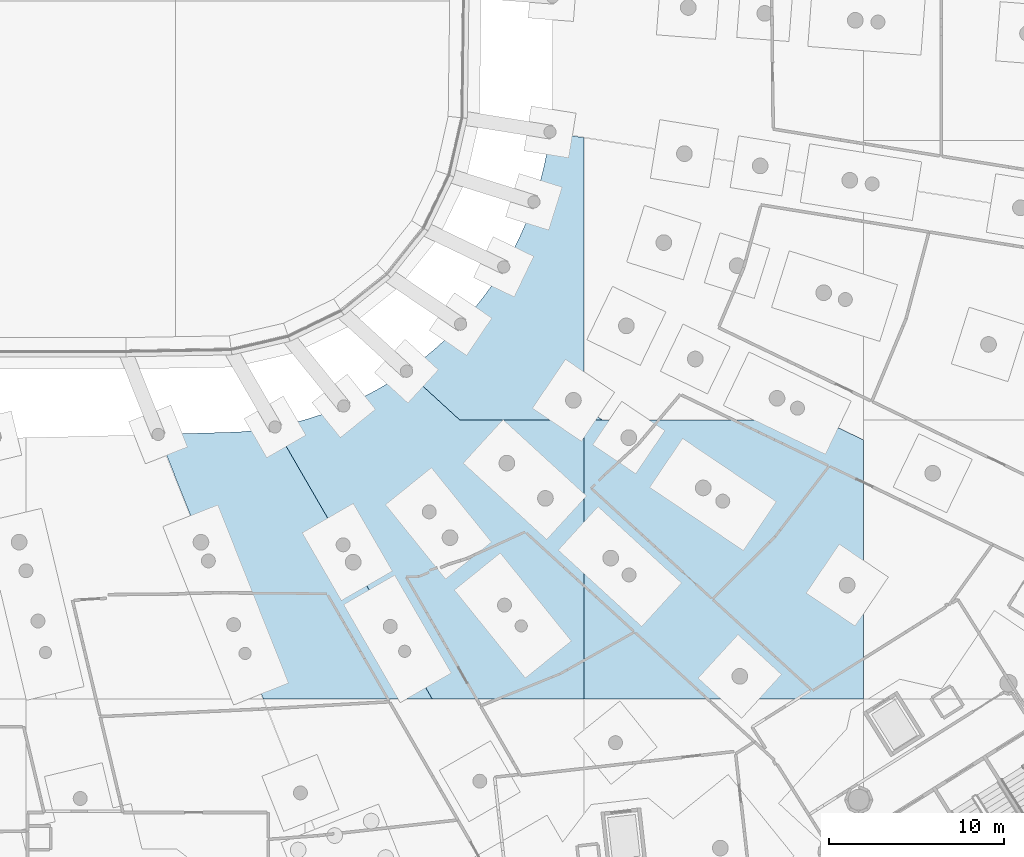
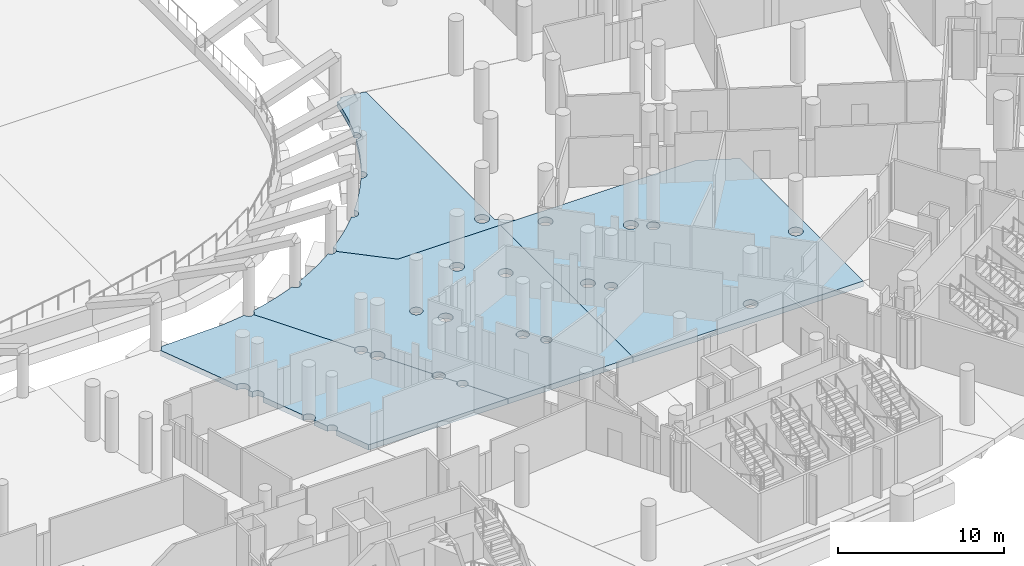
# One storey, part 21 of 142: 4 slabs.
"""IFC4 building model written with IfcOpenShell, lengths in metres."""

from ifc_helpers import new_model, si_unit, direction, frame, origin, place, context, subcontext, project, spatial, polyline, outline, extrude, material, layer, layer_set, type_object, element, save


model = new_model("IFC4")

# Units and contexts
model_context = context("Model", 3, precision=1e-05, world=origin(), true_north=direction((0.0, 1.0)))
body_context = subcontext(model_context, "Body", "Model", "MODEL_VIEW")
ifc_project = project(units=[si_unit("LENGTHUNIT", "METRE"), si_unit("AREAUNIT", "SQUARE_METRE"), si_unit("VOLUMEUNIT", "CUBIC_METRE"), si_unit("PLANEANGLEUNIT", "RADIAN"), si_unit("MASSUNIT", "GRAM", prefix="KILO")], contexts=[model_context])

# Site, building, storey
site_placement = place(None, origin())
site = spatial("IfcSite", under=ifc_project, at=site_placement, CompositionType="ELEMENT")
building_placement = place(site_placement, origin())
building = spatial("IfcBuilding", under=site, at=building_placement, Name="Meseta Stadium", CompositionType="ELEMENT")
storey_placement = place(building_placement, frame((0.0, 0.0, -4.0)))
storey = spatial("IfcBuildingStorey", under=building, at=storey_placement, Name="B1", CompositionType="ELEMENT", Elevation=-4.0)

# Slabs
ifc_material = material(Name="Concrete C30/37", Category="concrete")
ifc_layer = layer(ifc_material, 0.39990234375)
ifc_layer_set = layer_set([ifc_layer], Name="Base slab 400")
slab_type = type_object("IfcSlabType", Name="Base slab 400", PredefinedType="BASESLAB", material=ifc_layer_set)
slab_1_placement = place(storey_placement, frame((0.0, 0.0, -0.39990234375)))
element("IfcSlab", 1, at=slab_1_placement, inside=storey, type_object=slab_type, Name="Base slab B1 sector 49 panel 01", PredefinedType="BASESLAB", context=body_context, shape_type="SweptSolid", body=[
    extrude(outline(polyline([(28.857177734375, -77.57861328125), (28.8134765625, -77.6318359375), (28.76025390625, -77.675537109375), (28.70361328125, -77.705810546875), (29.614013671875, -80.0), (39.29443359375, -80.0), (37.886962890625, -77.56494140625), (37.84619140625, -77.586669921875), (37.7802734375, -77.606689453125), (37.711669921875, -77.61328125), (37.64306640625, -77.606689453125), (37.5771484375, -77.586669921875), (37.516357421875, -77.55419921875), (37.462890625, -77.510498046875), (37.419189453125, -77.45703125), (37.38671875, -77.396240234375), (37.36669921875, -77.330322265625), (37.360107421875, -77.26171875), (37.36669921875, -77.193115234375), (37.38671875, -77.127197265625), (37.419189453125, -77.06640625), (37.462890625, -77.012939453125), (37.516357421875, -76.96923828125), (37.53662109375, -76.95849609375), (37.086181640625, -76.179443359375), (37.039794921875, -76.204345703125), (36.96435546875, -76.227294921875), (36.885986328125, -76.23486328125), (36.807373046875, -76.227294921875), (36.73193359375, -76.204345703125), (36.66259765625, -76.1669921875), (36.601806640625, -76.1171875), (36.5517578125, -76.05615234375), (36.514404296875, -75.98681640625), (36.49169921875, -75.911376953125), (36.48388671875, -75.8330078125), (36.49169921875, -75.75439453125), (36.514404296875, -75.67919921875), (36.5517578125, -75.609619140625), (36.601806640625, -75.548583984375), (36.66259765625, -75.498779296875), (36.685546875, -75.486328125), (34.986083984375, -72.546142578125), (34.93359375, -72.57421875), (34.848876953125, -72.599853515625), (34.7607421875, -72.6083984375), (34.672607421875, -72.599853515625), (34.587646484375, -72.57421875), (34.509521484375, -72.5322265625), (34.44091796875, -72.47607421875), (34.384765625, -72.40771484375), (34.343017578125, -72.329345703125), (34.317138671875, -72.24462890625), (34.30859375, -72.15625), (34.317138671875, -72.068115234375), (34.343017578125, -71.9833984375), (34.384765625, -71.905029296875), (34.44091796875, -71.836669921875), (34.509521484375, -71.780517578125), (34.535400390625, -71.7666015625), (34.385498046875, -71.507080078125), (34.339111328125, -71.531982421875), (34.263671875, -71.554931640625), (34.185302734375, -71.5625), (34.106689453125, -71.554931640625), (34.031494140625, -71.531982421875), (33.9619140625, -71.494873046875), (33.90087890625, -71.44482421875), (33.85107421875, -71.384033203125), (33.813720703125, -71.314453125), (33.791015625, -71.239013671875), (33.783203125, -71.16064453125), (33.791015625, -71.082275390625), (33.813720703125, -71.0068359375), (33.85107421875, -70.9375), (33.90087890625, -70.87646484375), (33.9619140625, -70.826416015625), (33.98486328125, -70.814208984375), (30.45703125, -64.7109375), (30.416259765625, -64.732666015625), (30.350341796875, -64.752685546875), (30.28173828125, -64.759521484375), (30.213134765625, -64.752685546875), (30.147216796875, -64.732666015625), (30.08642578125, -64.7001953125), (30.033203125, -64.656494140625), (29.9892578125, -64.60302734375), (29.956787109375, -64.542236328125), (29.936767578125, -64.476318359375), (29.93603515625, -64.468505859375), (29.603515625, -64.527099609375), (28.92138671875, -64.622802734375), (28.235595703125, -64.69482421875), (26.6884765625, -64.742431640625), (23.935302734375, -64.8232421875), (23.936279296875, -64.83349609375), (23.9296875, -64.902099609375), (23.90966796875, -64.968017578125), (23.877197265625, -65.02880859375), (23.833251953125, -65.08203125), (23.780029296875, -65.125732421875), (23.723388671875, -65.156005859375), (25.880615234375, -70.591796875), (25.94921875, -70.571044921875), (26.03759765625, -70.562255859375), (26.125732421875, -70.571044921875), (26.21044921875, -70.5966796875), (26.288818359375, -70.638427734375), (26.357177734375, -70.694580078125), (26.41357421875, -70.76318359375), (26.455078125, -70.84130859375), (26.48095703125, -70.92626953125), (26.48974609375, -71.014404296875), (26.48095703125, -71.102783203125), (26.455078125, -71.1875), (26.41357421875, -71.265625), (26.357177734375, -71.334228515625), (26.288818359375, -71.390380859375), (26.21337890625, -71.4306640625), (26.3232421875, -71.70751953125), (26.38330078125, -71.689208984375), (26.461669921875, -71.681396484375), (26.5400390625, -71.689208984375), (26.615478515625, -71.7119140625), (26.68505859375, -71.749267578125), (26.745849609375, -71.79931640625), (26.7958984375, -71.860107421875), (26.8330078125, -71.9296875), (26.85595703125, -72.0048828125), (26.863525390625, -72.08349609375), (26.85595703125, -72.161865234375), (26.8330078125, -72.2373046875), (26.7958984375, -72.306640625), (26.745849609375, -72.36767578125), (26.68505859375, -72.41748046875), (26.618896484375, -72.452880859375), (27.7724609375, -75.359619140625), (27.83251953125, -75.34130859375), (27.910888671875, -75.333740234375), (27.989501953125, -75.34130859375), (28.064697265625, -75.3642578125), (28.13427734375, -75.4013671875), (28.1953125, -75.451416015625), (28.2451171875, -75.51220703125), (28.2822265625, -75.581787109375), (28.30517578125, -75.6572265625), (28.31298828125, -75.735595703125), (28.30517578125, -75.81396484375), (28.2822265625, -75.889404296875), (28.2451171875, -75.958984375), (28.1953125, -76.019775390625), (28.13427734375, -76.06982421875), (28.068359375, -76.10498046875), (28.44482421875, -77.0537109375), (28.49609375, -77.038330078125), (28.564697265625, -77.031494140625), (28.63330078125, -77.038330078125), (28.69921875, -77.058349609375), (28.76025390625, -77.0908203125), (28.8134765625, -77.134521484375), (28.857177734375, -77.187744140625), (28.8896484375, -77.24853515625), (28.90966796875, -77.314697265625), (28.91650390625, -77.38330078125), (28.90966796875, -77.451904296875), (28.8896484375, -77.517822265625), (28.857177734375, -77.57861328125)])), origin(), (0.0, 0.0, 1.0), 0.39990234375),
])
slab_2_placement = place(storey_placement, frame((0.0, 0.0, -0.39990234375)))
element("IfcSlab", 2, at=slab_2_placement, inside=storey, type_object=slab_type, Name="Base slab B1 sector 49 panel 03", PredefinedType="BASESLAB", context=body_context, shape_type="SweptSolid", body=[
    extrude(outline(polyline([(32.283447265625, -63.9091796875), (31.62255859375, -64.098388671875), (30.955078125, -64.264892578125), (30.62548828125, -64.334716796875), (30.626708984375, -64.339111328125), (30.63330078125, -64.40771484375), (30.626708984375, -64.476318359375), (30.606689453125, -64.542236328125), (30.57421875, -64.60302734375), (30.530517578125, -64.656494140625), (30.47705078125, -64.7001953125), (30.45703125, -64.7109375), (33.98486328125, -70.814208984375), (34.031494140625, -70.789306640625), (34.106689453125, -70.7666015625), (34.185302734375, -70.7587890625), (34.263671875, -70.7666015625), (34.339111328125, -70.789306640625), (34.408447265625, -70.826416015625), (34.469482421875, -70.87646484375), (34.519287109375, -70.9375), (34.556396484375, -71.0068359375), (34.579345703125, -71.082275390625), (34.587158203125, -71.16064453125), (34.579345703125, -71.239013671875), (34.556396484375, -71.314453125), (34.519287109375, -71.384033203125), (34.469482421875, -71.44482421875), (34.408447265625, -71.494873046875), (34.385498046875, -71.507080078125), (34.535400390625, -71.7666015625), (34.587646484375, -71.738525390625), (34.672607421875, -71.712890625), (34.7607421875, -71.7041015625), (34.848876953125, -71.712890625), (34.93359375, -71.738525390625), (35.011962890625, -71.780517578125), (35.080322265625, -71.836669921875), (35.13671875, -71.905029296875), (35.178466796875, -71.9833984375), (35.2041015625, -72.068115234375), (35.212890625, -72.15625), (35.2041015625, -72.24462890625), (35.178466796875, -72.329345703125), (35.13671875, -72.40771484375), (35.080322265625, -72.47607421875), (35.011962890625, -72.5322265625), (34.986083984375, -72.546142578125), (36.685546875, -75.486328125), (36.73193359375, -75.461669921875), (36.807373046875, -75.438720703125), (36.885986328125, -75.430908203125), (36.96435546875, -75.438720703125), (37.039794921875, -75.461669921875), (37.109130859375, -75.498779296875), (37.170166015625, -75.548583984375), (37.22021484375, -75.609619140625), (37.257080078125, -75.67919921875), (37.280029296875, -75.75439453125), (37.287841796875, -75.8330078125), (37.280029296875, -75.911376953125), (37.257080078125, -75.98681640625), (37.22021484375, -76.05615234375), (37.170166015625, -76.1171875), (37.109130859375, -76.1669921875), (37.086181640625, -76.179443359375), (37.53662109375, -76.95849609375), (37.5771484375, -76.936767578125), (37.64306640625, -76.916748046875), (37.711669921875, -76.909912109375), (37.7802734375, -76.916748046875), (37.84619140625, -76.936767578125), (37.906982421875, -76.96923828125), (37.96044921875, -77.012939453125), (38.004150390625, -77.06640625), (38.03662109375, -77.127197265625), (38.056640625, -77.193115234375), (38.0634765625, -77.26171875), (38.056640625, -77.330322265625), (38.03662109375, -77.396240234375), (38.004150390625, -77.45703125), (37.96044921875, -77.510498046875), (37.906982421875, -77.55419921875), (37.886962890625, -77.56494140625), (39.29443359375, -80.0), (48.0, -80.0), (48.0, -64.0), (40.861572265625, -64.0), (38.07470703125, -61.44873046875), (38.064697265625, -61.460693359375), (38.011474609375, -61.50439453125), (37.95068359375, -61.537109375), (37.884765625, -61.556884765625), (37.816162109375, -61.563720703125), (37.747314453125, -61.556884765625), (37.681396484375, -61.537109375), (37.62060546875, -61.50439453125), (37.5673828125, -61.460693359375), (37.524658203125, -61.40869140625), (37.247314453125, -61.595703125), (36.665283203125, -61.95947265625), (36.07080078125, -62.302490234375), (35.464599609375, -62.624755859375), (34.847412109375, -62.925537109375), (34.54052734375, -63.06201171875), (34.544921875, -63.0703125), (34.56494140625, -63.13623046875), (34.57177734375, -63.204833984375), (34.56494140625, -63.2734375), (34.544921875, -63.33935546875), (34.512451171875, -63.400146484375), (34.468505859375, -63.45361328125), (34.415283203125, -63.497314453125), (34.3544921875, -63.52978515625), (34.28857421875, -63.5498046875), (34.219970703125, -63.556396484375), (34.1513671875, -63.5498046875), (34.08544921875, -63.52978515625), (34.024658203125, -63.497314453125), (33.97119140625, -63.45361328125), (33.927490234375, -63.400146484375), (33.89404296875, -63.33642578125), (33.5830078125, -63.4619140625), (32.937255859375, -63.697021484375), (32.283447265625, -63.9091796875)]), holes=[polyline([(43.151611328125, -66.65185546875), (43.1259765625, -66.56689453125), (43.1171875, -66.478759765625), (43.1259765625, -66.390625), (43.151611328125, -66.305908203125), (43.193359375, -66.2275390625), (43.249755859375, -66.1591796875), (43.318115234375, -66.102783203125), (43.396484375, -66.06103515625), (43.481201171875, -66.035400390625), (43.5693359375, -66.026611328125), (43.65771484375, -66.035400390625), (43.742431640625, -66.06103515625), (43.820556640625, -66.102783203125), (43.88916015625, -66.1591796875), (43.9453125, -66.2275390625), (43.9873046875, -66.305908203125), (44.012939453125, -66.390625), (44.021484375, -66.478759765625), (44.012939453125, -66.56689453125), (43.9873046875, -66.65185546875), (43.9453125, -66.72998046875), (43.88916015625, -66.798583984375), (43.820556640625, -66.854736328125), (43.742431640625, -66.896484375), (43.65771484375, -66.92236328125), (43.5693359375, -66.930908203125), (43.481201171875, -66.92236328125), (43.396484375, -66.896484375), (43.318115234375, -66.854736328125), (43.249755859375, -66.798583984375), (43.193359375, -66.72998046875), (43.151611328125, -66.65185546875)]), polyline([(45.359375, -68.6728515625), (45.33349609375, -68.587890625), (45.324951171875, -68.499755859375), (45.33349609375, -68.41162109375), (45.359375, -68.326904296875), (45.401123046875, -68.24853515625), (45.45751953125, -68.18017578125), (45.52587890625, -68.123779296875), (45.60400390625, -68.08203125), (45.68896484375, -68.056396484375), (45.777099609375, -68.047607421875), (45.865234375, -68.056396484375), (45.9501953125, -68.08203125), (46.0283203125, -68.123779296875), (46.096923828125, -68.18017578125), (46.153076171875, -68.24853515625), (46.19482421875, -68.326904296875), (46.220703125, -68.41162109375), (46.229248046875, -68.499755859375), (46.220703125, -68.587890625), (46.19482421875, -68.6728515625), (46.153076171875, -68.7509765625), (46.096923828125, -68.819580078125), (46.0283203125, -68.875732421875), (45.9501953125, -68.91748046875), (45.865234375, -68.943359375), (45.777099609375, -68.951904296875), (45.68896484375, -68.943359375), (45.60400390625, -68.91748046875), (45.52587890625, -68.875732421875), (45.45751953125, -68.819580078125), (45.401123046875, -68.7509765625), (45.359375, -68.6728515625)]), polyline([(38.784423828125, -69.498046875), (38.747314453125, -69.428466796875), (38.724365234375, -69.35302734375), (38.716796875, -69.274658203125), (38.724365234375, -69.1962890625), (38.747314453125, -69.120849609375), (38.784423828125, -69.051513671875), (38.83447265625, -68.990478515625), (38.895263671875, -68.9404296875), (38.96484375, -68.9033203125), (39.040283203125, -68.880615234375), (39.11865234375, -68.872802734375), (39.197021484375, -68.880615234375), (39.2724609375, -68.9033203125), (39.341796875, -68.9404296875), (39.40283203125, -68.990478515625), (39.452880859375, -69.051513671875), (39.489990234375, -69.120849609375), (39.5126953125, -69.1962890625), (39.5205078125, -69.274658203125), (39.5126953125, -69.35302734375), (39.489990234375, -69.428466796875), (39.452880859375, -69.498046875), (39.40283203125, -69.558837890625), (39.341796875, -69.60888671875), (39.2724609375, -69.64599609375), (39.197021484375, -69.6689453125), (39.11865234375, -69.676513671875), (39.040283203125, -69.6689453125), (38.96484375, -69.64599609375), (38.895263671875, -69.60888671875), (38.83447265625, -69.558837890625), (38.784423828125, -69.498046875)]), polyline([(39.931884765625, -70.99951171875), (39.89013671875, -70.921142578125), (39.8642578125, -70.83642578125), (39.855712890625, -70.748291015625), (39.8642578125, -70.659912109375), (39.89013671875, -70.5751953125), (39.931884765625, -70.4970703125), (39.988037109375, -70.428466796875), (40.056640625, -70.372314453125), (40.134765625, -70.330322265625), (40.219482421875, -70.3046875), (40.307861328125, -70.2958984375), (40.39599609375, -70.3046875), (40.48095703125, -70.330322265625), (40.55908203125, -70.372314453125), (40.627685546875, -70.428466796875), (40.683837890625, -70.4970703125), (40.7255859375, -70.5751953125), (40.751220703125, -70.659912109375), (40.760009765625, -70.748291015625), (40.751220703125, -70.83642578125), (40.7255859375, -70.921142578125), (40.683837890625, -70.99951171875), (40.627685546875, -71.06787109375), (40.55908203125, -71.124267578125), (40.48095703125, -71.166015625), (40.39599609375, -71.191650390625), (40.307861328125, -71.200439453125), (40.219482421875, -71.191650390625), (40.134765625, -71.166015625), (40.056640625, -71.124267578125), (39.988037109375, -71.06787109375), (39.931884765625, -70.99951171875)]), polyline([(43.09619140625, -74.8408203125), (43.05908203125, -74.771240234375), (43.036376953125, -74.69580078125), (43.028564453125, -74.617431640625), (43.036376953125, -74.5390625), (43.05908203125, -74.463623046875), (43.09619140625, -74.39404296875), (43.146240234375, -74.333251953125), (43.207275390625, -74.283203125), (43.276611328125, -74.24609375), (43.35205078125, -74.22314453125), (43.430419921875, -74.215576171875), (43.5087890625, -74.22314453125), (43.584228515625, -74.24609375), (43.65380859375, -74.283203125), (43.714599609375, -74.333251953125), (43.7646484375, -74.39404296875), (43.8017578125, -74.463623046875), (43.82470703125, -74.5390625), (43.83251953125, -74.617431640625), (43.82470703125, -74.69580078125), (43.8017578125, -74.771240234375), (43.7646484375, -74.8408203125), (43.714599609375, -74.901611328125), (43.65380859375, -74.95166015625), (43.584228515625, -74.98876953125), (43.5087890625, -75.01171875), (43.430419921875, -75.019287109375), (43.35205078125, -75.01171875), (43.276611328125, -74.98876953125), (43.207275390625, -74.95166015625), (43.146240234375, -74.901611328125), (43.09619140625, -74.8408203125)]), polyline([(44.09765625, -76.001708984375), (44.065185546875, -75.94091796875), (44.045166015625, -75.875), (44.038330078125, -75.806396484375), (44.045166015625, -75.73779296875), (44.065185546875, -75.671875), (44.09765625, -75.611083984375), (44.141357421875, -75.5576171875), (44.194580078125, -75.513916015625), (44.255615234375, -75.4814453125), (44.3212890625, -75.46142578125), (44.389892578125, -75.45458984375), (44.458740234375, -75.46142578125), (44.524658203125, -75.4814453125), (44.58544921875, -75.513916015625), (44.638671875, -75.5576171875), (44.6826171875, -75.611083984375), (44.715087890625, -75.671875), (44.735107421875, -75.73779296875), (44.74169921875, -75.806396484375), (44.735107421875, -75.875), (44.715087890625, -75.94091796875), (44.6826171875, -76.001708984375), (44.638671875, -76.05517578125), (44.58544921875, -76.098876953125), (44.524658203125, -76.13134765625), (44.458740234375, -76.1513671875), (44.389892578125, -76.158203125), (44.3212890625, -76.1513671875), (44.255615234375, -76.13134765625), (44.194580078125, -76.098876953125), (44.141357421875, -76.05517578125), (44.09765625, -76.001708984375)])]), origin(), (0.0, 0.0, 1.0), 0.39990234375),
])
slab_3_placement = place(storey_placement, frame((0.0, 0.0, -0.39990234375)))
element("IfcSlab", 3, at=slab_3_placement, inside=storey, type_object=slab_type, Name="Base slab B1 sector 49 panel 05", PredefinedType="BASESLAB", context=body_context, shape_type="SweptSolid", body=[
    extrude(outline(polyline([(39.94677734375, -59.486083984375), (39.437255859375, -59.9453125), (38.91162109375, -60.38623046875), (38.37109375, -60.80859375), (38.099609375, -61.005859375), (38.1083984375, -61.0166015625), (38.14111328125, -61.077392578125), (38.160888671875, -61.143310546875), (38.167724609375, -61.2119140625), (38.160888671875, -61.28076171875), (38.14111328125, -61.3466796875), (38.1083984375, -61.407470703125), (38.07470703125, -61.44873046875), (40.861572265625, -64.0), (49.0400390625, -64.0), (48.0, -63.2978515625), (48.0, -47.83203125), (46.384765625, -47.572021484375), (46.364501953125, -47.640869140625), (46.331787109375, -47.70166015625), (46.2880859375, -47.7548828125), (46.23486328125, -47.798583984375), (46.174072265625, -47.831298828125), (46.108154296875, -47.851318359375), (46.03955078125, -47.85791015625), (45.9912109375, -47.853271484375), (45.945068359375, -48.185546875), (45.82666015625, -48.861083984375), (45.684814453125, -49.5322265625), (45.519775390625, -50.197998046875), (45.331298828125, -50.857421875), (45.227783203125, -51.1767578125), (45.254638671875, -51.18505859375), (45.3154296875, -51.217529296875), (45.368896484375, -51.26123046875), (45.41259765625, -51.314453125), (45.445068359375, -51.375244140625), (45.465087890625, -51.44140625), (45.4716796875, -51.510009765625), (45.465087890625, -51.57861328125), (45.445068359375, -51.64453125), (45.41259765625, -51.705322265625), (45.368896484375, -51.758544921875), (45.3154296875, -51.80224609375), (45.254638671875, -51.834716796875), (45.188720703125, -51.854736328125), (45.1201171875, -51.861572265625), (45.051513671875, -51.854736328125), (45.00048828125, -51.83935546875), (44.885986328125, -52.154541015625), (44.6298828125, -52.790771484375), (44.351318359375, -53.41748046875), (44.05126953125, -54.0341796875), (43.7294921875, -54.639892578125), (43.56201171875, -54.930908203125), (43.58251953125, -54.94189453125), (43.6357421875, -54.985595703125), (43.679443359375, -55.038818359375), (43.7119140625, -55.099609375), (43.73193359375, -55.16552734375), (43.73876953125, -55.234130859375), (43.73193359375, -55.302734375), (43.7119140625, -55.368896484375), (43.679443359375, -55.4296875), (43.6357421875, -55.48291015625), (43.58251953125, -55.526611328125), (43.521728515625, -55.55908203125), (43.455810546875, -55.5791015625), (43.38720703125, -55.5859375), (43.318603515625, -55.5791015625), (43.25244140625, -55.55908203125), (43.201416015625, -55.53173828125), (43.02392578125, -55.816162109375), (42.640869140625, -56.385009765625), (42.23779296875, -56.93994140625), (41.81591796875, -57.480712890625), (41.375244140625, -58.006103515625), (41.15087890625, -58.255615234375), (41.165283203125, -58.267333984375), (41.208984375, -58.32080078125), (41.241455078125, -58.381591796875), (41.261474609375, -58.447509765625), (41.268310546875, -58.51611328125), (41.261474609375, -58.584716796875), (41.241455078125, -58.650634765625), (41.207763671875, -58.712646484375), (41.165283203125, -58.7646484375), (41.11181640625, -58.80859375), (41.051025390625, -58.841064453125), (40.985107421875, -58.861083984375), (40.91650390625, -58.86767578125), (40.847900390625, -58.861083984375), (40.781982421875, -58.841064453125), (40.72119140625, -58.80859375), (40.672607421875, -58.768798828125), (40.440185546875, -59.009521484375), (39.94677734375, -59.486083984375)]), holes=[polyline([(47.293212890625, -63.32373046875), (47.208251953125, -63.298095703125), (47.130126953125, -63.256103515625), (47.0615234375, -63.199951171875), (47.00537109375, -63.13134765625), (46.963623046875, -63.05322265625), (46.937744140625, -62.968505859375), (46.92919921875, -62.880126953125), (46.937744140625, -62.7919921875), (46.963623046875, -62.707275390625), (47.006591796875, -62.627197265625), (47.0615234375, -62.560546875), (47.130126953125, -62.50439453125), (47.208251953125, -62.46240234375), (47.293212890625, -62.436767578125), (47.38134765625, -62.427978515625), (47.469482421875, -62.436767578125), (47.554443359375, -62.46240234375), (47.632568359375, -62.50439453125), (47.701171875, -62.560546875), (47.75732421875, -62.62890625), (47.799072265625, -62.707275390625), (47.82470703125, -62.7919921875), (47.83349609375, -62.880126953125), (47.82470703125, -62.968505859375), (47.799072265625, -63.05322265625), (47.755859375, -63.133056640625), (47.701171875, -63.199951171875), (47.632568359375, -63.256103515625), (47.554443359375, -63.298095703125), (47.469482421875, -63.32373046875), (47.38134765625, -63.33251953125), (47.293212890625, -63.32373046875)])]), origin(), (0.0, 0.0, 1.0), 0.39990234375),
])
slab_4_placement = place(storey_placement, frame((0.0, 0.0, -0.39990234375)))
element("IfcSlab", 4, at=slab_4_placement, inside=storey, type_object=slab_type, Name="Base slab B1 sector 49 panel 08", PredefinedType="BASESLAB", context=body_context, shape_type="SweptSolid", body=[
    extrude(outline(polyline([(61.614013671875, -64.0), (48.0, -64.0), (48.0, -80.0), (64.0, -80.0), (64.0, -65.1474609375), (61.614013671875, -64.0)]), holes=[polyline([(50.109375, -64.93310546875), (50.13525390625, -64.84814453125), (50.178466796875, -64.768310546875), (50.233154296875, -64.701416015625), (50.3017578125, -64.645263671875), (50.3798828125, -64.603515625), (50.464599609375, -64.577880859375), (50.552978515625, -64.569091796875), (50.64111328125, -64.577880859375), (50.72607421875, -64.603515625), (50.80419921875, -64.645263671875), (50.872802734375, -64.701416015625), (50.928955078125, -64.77001953125), (50.970703125, -64.84814453125), (50.996337890625, -64.93310546875), (51.005126953125, -65.021240234375), (50.996337890625, -65.109619140625), (50.970703125, -65.1943359375), (50.927490234375, -65.274169921875), (50.872802734375, -65.341064453125), (50.80419921875, -65.397216796875), (50.72607421875, -65.43896484375), (50.64111328125, -65.46484375), (50.552978515625, -65.473388671875), (50.464599609375, -65.46484375), (50.3798828125, -65.43896484375), (50.3017578125, -65.397216796875), (50.233154296875, -65.341064453125), (50.177001953125, -65.2724609375), (50.13525390625, -65.1943359375), (50.109375, -65.109619140625), (50.100830078125, -65.021240234375), (50.109375, -64.93310546875)]), polyline([(54.376220703125, -67.813232421875), (54.40185546875, -67.728515625), (54.445068359375, -67.648681640625), (54.5, -67.581787109375), (54.568359375, -67.525634765625), (54.646484375, -67.48388671875), (54.7314453125, -67.4580078125), (54.819580078125, -67.449462890625), (54.90771484375, -67.4580078125), (54.99267578125, -67.48388671875), (55.07080078125, -67.525634765625), (55.139404296875, -67.581787109375), (55.195556640625, -67.650390625), (55.2373046875, -67.728515625), (55.26318359375, -67.813232421875), (55.271728515625, -67.901611328125), (55.26318359375, -67.98974609375), (55.2373046875, -68.07470703125), (55.194091796875, -68.154541015625), (55.139404296875, -68.22119140625), (55.07080078125, -68.277587890625), (54.99267578125, -68.3193359375), (54.90771484375, -68.344970703125), (54.819580078125, -68.353759765625), (54.7314453125, -68.344970703125), (54.646484375, -68.3193359375), (54.568359375, -68.277587890625), (54.5, -68.22119140625), (54.443603515625, -68.15283203125), (54.40185546875, -68.07470703125), (54.376220703125, -67.98974609375), (54.367431640625, -67.901611328125), (54.376220703125, -67.813232421875)]), polyline([(55.546142578125, -68.57958984375), (55.56884765625, -68.50439453125), (55.607421875, -68.433349609375), (55.656005859375, -68.373779296875), (55.717041015625, -68.323974609375), (55.78662109375, -68.28662109375), (55.86181640625, -68.263916015625), (55.940185546875, -68.256103515625), (56.018798828125, -68.263916015625), (56.093994140625, -68.28662109375), (56.16357421875, -68.323974609375), (56.224609375, -68.373779296875), (56.2744140625, -68.434814453125), (56.3115234375, -68.50439453125), (56.33447265625, -68.57958984375), (56.34228515625, -68.658203125), (56.33447265625, -68.736572265625), (56.3115234375, -68.81201171875), (56.273193359375, -68.8828125), (56.224609375, -68.9423828125), (56.16357421875, -68.9921875), (56.093994140625, -69.029296875), (56.018798828125, -69.05224609375), (55.940185546875, -69.06005859375), (55.86181640625, -69.05224609375), (55.78662109375, -69.029296875), (55.717041015625, -68.9921875), (55.656005859375, -68.9423828125), (55.606201171875, -68.88134765625), (55.56884765625, -68.81201171875), (55.546142578125, -68.736572265625), (55.538330078125, -68.658203125), (55.546142578125, -68.57958984375)]), polyline([(62.624755859375, -73.381591796875), (62.650390625, -73.296875), (62.693603515625, -73.217041015625), (62.748291015625, -73.150146484375), (62.81689453125, -73.093994140625), (62.89501953125, -73.052001953125), (62.97998046875, -73.0263671875), (63.068115234375, -73.017578125), (63.156494140625, -73.0263671875), (63.2412109375, -73.052001953125), (63.3193359375, -73.093994140625), (63.387939453125, -73.150146484375), (63.444091796875, -73.218505859375), (63.48583984375, -73.296875), (63.51171875, -73.381591796875), (63.5205078125, -73.469970703125), (63.51171875, -73.55810546875), (63.48583984375, -73.642822265625), (63.44287109375, -73.72265625), (63.387939453125, -73.78955078125), (63.3193359375, -73.845703125), (63.2412109375, -73.8876953125), (63.156494140625, -73.913330078125), (63.068115234375, -73.922119140625), (62.97998046875, -73.913330078125), (62.89501953125, -73.8876953125), (62.81689453125, -73.845703125), (62.748291015625, -73.78955078125), (62.692138671875, -73.72119140625), (62.650390625, -73.642822265625), (62.624755859375, -73.55810546875), (62.615966796875, -73.469970703125), (62.624755859375, -73.381591796875)]), polyline([(56.5390625, -78.947021484375), (56.497314453125, -78.868896484375), (56.471435546875, -78.783935546875), (56.462890625, -78.69580078125), (56.471435546875, -78.607421875), (56.497314453125, -78.522705078125), (56.5390625, -78.444580078125), (56.59521484375, -78.3759765625), (56.663818359375, -78.319580078125), (56.741943359375, -78.278076171875), (56.826904296875, -78.252197265625), (56.9150390625, -78.243408203125), (57.003173828125, -78.252197265625), (57.088134765625, -78.278076171875), (57.166259765625, -78.319580078125), (57.23486328125, -78.3759765625), (57.291015625, -78.444580078125), (57.332763671875, -78.522705078125), (57.3583984375, -78.607421875), (57.3671875, -78.69580078125), (57.3583984375, -78.783935546875), (57.332763671875, -78.868896484375), (57.291015625, -78.947021484375), (57.23486328125, -79.015380859375), (57.166259765625, -79.07177734375), (57.088134765625, -79.113525390625), (57.003173828125, -79.13916015625), (56.9150390625, -79.14794921875), (56.826904296875, -79.13916015625), (56.741943359375, -79.113525390625), (56.663818359375, -79.07177734375), (56.59521484375, -79.015380859375), (56.5390625, -78.947021484375)]), polyline([(49.066162109375, -71.924560546875), (49.074951171875, -71.83642578125), (49.1005859375, -71.751708984375), (49.142333984375, -71.67333984375), (49.198486328125, -71.60498046875), (49.26708984375, -71.548583984375), (49.34521484375, -71.5068359375), (49.43017578125, -71.481201171875), (49.518310546875, -71.472412109375), (49.606689453125, -71.481201171875), (49.69140625, -71.5068359375), (49.76953125, -71.548583984375), (49.838134765625, -71.60498046875), (49.894287109375, -71.67333984375), (49.93603515625, -71.751708984375), (49.9619140625, -71.83642578125), (49.970458984375, -71.924560546875), (49.9619140625, -72.0126953125), (49.93603515625, -72.09765625), (49.894287109375, -72.17578125), (49.838134765625, -72.244384765625), (49.76953125, -72.300537109375), (49.69140625, -72.34228515625), (49.606689453125, -72.3681640625), (49.518310546875, -72.376708984375), (49.43017578125, -72.3681640625), (49.34521484375, -72.34228515625), (49.26708984375, -72.300537109375), (49.198486328125, -72.244384765625), (49.142333984375, -72.17578125), (49.1005859375, -72.09765625), (49.074951171875, -72.0126953125), (49.066162109375, -71.924560546875)]), polyline([(50.169677734375, -72.888916015625), (50.177490234375, -72.810302734375), (50.2001953125, -72.735107421875), (50.2373046875, -72.66552734375), (50.287353515625, -72.6044921875), (50.348388671875, -72.5546875), (50.417724609375, -72.517333984375), (50.4931640625, -72.49462890625), (50.571533203125, -72.48681640625), (50.64990234375, -72.49462890625), (50.725341796875, -72.517333984375), (50.794921875, -72.5546875), (50.855712890625, -72.6044921875), (50.90576171875, -72.66552734375), (50.94287109375, -72.735107421875), (50.9658203125, -72.810302734375), (50.973388671875, -72.888916015625), (50.9658203125, -72.96728515625), (50.94287109375, -73.04248046875), (50.90576171875, -73.112060546875), (50.855712890625, -73.173095703125), (50.794921875, -73.222900390625), (50.725341796875, -73.260009765625), (50.64990234375, -73.282958984375), (50.571533203125, -73.290771484375), (50.4931640625, -73.282958984375), (50.417724609375, -73.260009765625), (50.348388671875, -73.222900390625), (50.287353515625, -73.173095703125), (50.2373046875, -73.112060546875), (50.2001953125, -73.04248046875), (50.177490234375, -72.96728515625), (50.169677734375, -72.888916015625)])]), origin(), (0.0, 0.0, 1.0), 0.39990234375),
])

save(model, "model.ifc")
